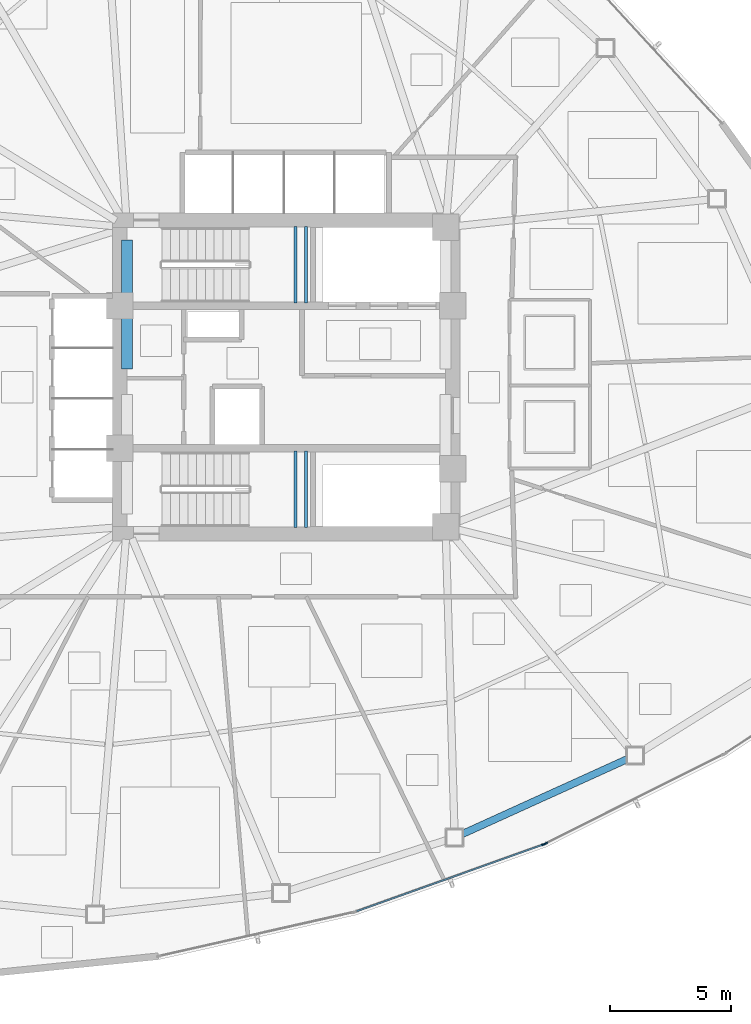
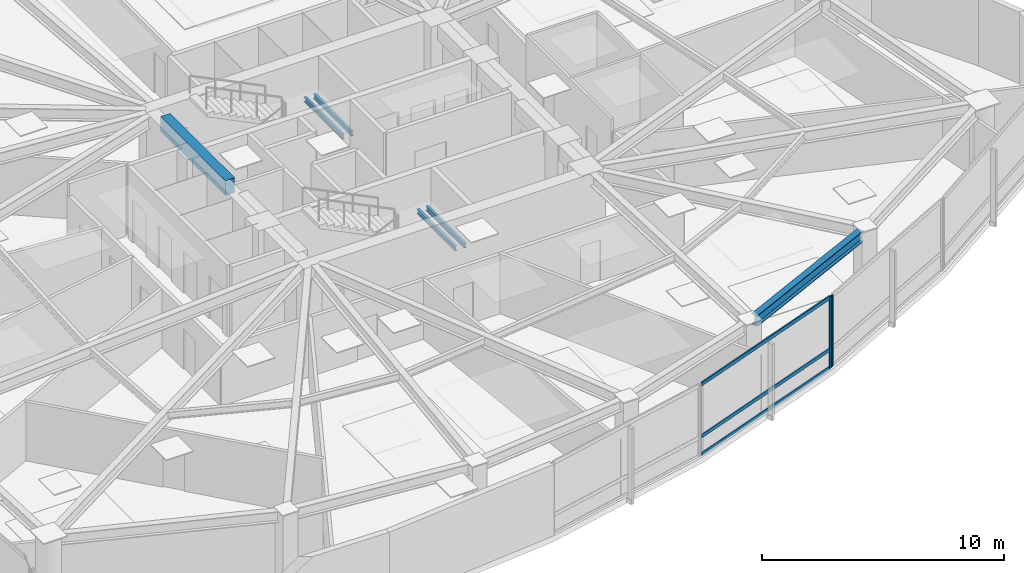
# One storey, part 5 of 17: 6 beams, 5 members, 2 elements without a shape of their own.
"""IFC4 building model written with IfcOpenShell, lengths in metres."""

from ifc_helpers import new_model, si_unit, direction, frame, origin, origin_2d, place, context, subcontext, project, spatial, rectangle, hollow_rectangle, i_section, extrude, source, transform, mapped, material, layer, layer_set, material_profile, profile_set, type_object, type_shapes, element, aggregate, save


model = new_model("IFC4")

# Units and contexts
model_context = context("Model", 3, precision=1e-05, world=origin(), true_north=direction((0.0, 1.0)))
body_context = subcontext(model_context, "Body", "Model", "MODEL_VIEW")
ifc_project = project(units=[si_unit("LENGTHUNIT", "METRE"), si_unit("AREAUNIT", "SQUARE_METRE"), si_unit("VOLUMEUNIT", "CUBIC_METRE"), si_unit("PLANEANGLEUNIT", "RADIAN"), si_unit("MASSUNIT", "GRAM", prefix="KILO")], contexts=[model_context])

# Site, building, storey
site_placement = place(None, origin())
site = spatial("IfcSite", under=ifc_project, at=site_placement, CompositionType="ELEMENT")
building_placement = place(site_placement, origin())
building = spatial("IfcBuilding", under=site, at=building_placement, Name="Tavelor Broadcast Tower", CompositionType="ELEMENT")
storey_placement = place(building_placement, frame((0.0, 0.0, 93.89990234375)))
storey = spatial("IfcBuildingStorey", under=building, at=storey_placement, Name="L22", CompositionType="ELEMENT", Elevation=93.89990234375)

# Beams
ifc_material_1 = material(Name="Concrete C40/50", Category="concrete")
ifc_material_profile_1 = material_profile(ifc_material_1, rectangle(XDim=0.449951171875, YDim=0.75, at=origin_2d()), Name="RC 450x750")
ifc_profile_set_1 = profile_set([ifc_material_profile_1], Name="Concrete C40/50")
beam_type_1 = type_object("IfcBeamType", Name="Basement Core Trim Beam 450x750", PredefinedType="BEAM", material=ifc_profile_set_1)
beam_1_placement = place(storey_placement, frame((43.39990234375, 45.327880859375, 3.22509765625), z_axis=(0.0, 1.0, 0.0), x_axis=(-1.0, 0.0, 0.0)))
element("IfcBeam", 1, at=beam_1_placement, inside=storey, type_object=beam_type_1, Name="L22 Core West-N Tie Girder", PredefinedType="BEAM", context=body_context, shape_type="SweptSolid", body=[
    extrude(rectangle(XDim=0.449951171875, YDim=0.75, at=origin_2d()), origin(), (0.0, 0.0, 1.0), 5.34423828125),
])
ifc_material_2 = material(Name="Steel S355", Category="steel")
ifc_material_profile_2 = material_profile(ifc_material_2, i_section(OverallWidth=0.300048828125, OverallDepth=0.550048828125, WebThickness=0.014892578125, FlangeThickness=0.029052734375, at=origin_2d()), Name="HEB 550")
ifc_profile_set_2 = profile_set([ifc_material_profile_2], Name="Steel S355")
beam_type_2 = type_object("IfcBeamType", Name="Perimeter Spandrel Beam T2 HEB 550", PredefinedType="SPANDREL", material=ifc_profile_set_2)
beam_2_placement = place(storey_placement, frame((57.28125, 26.060546875, 3.3251953125), z_axis=(0.910420869291, 0.413683261395, 0.0), x_axis=(-0.413683261395, 0.910420869291, 0.0)))
element("IfcBeam", 2, at=beam_2_placement, inside=storey, type_object=beam_type_2, Name="L22 Framed-Tube Ring Spandrel 11", PredefinedType="SPANDREL", context=body_context, shape_type="SweptSolid", body=[
    extrude(i_section(OverallWidth=0.300048828125, OverallDepth=0.550048828125, WebThickness=0.014892578125, FlangeThickness=0.029052734375, at=origin_2d()), origin(), (0.0, 0.0, 1.0), 7.531005859375),
])
ifc_material_profile_3 = material_profile(ifc_material_2, i_section(OverallWidth=0.1201171875, OverallDepth=0.239990234375, WebThickness=0.006103515625, FlangeThickness=0.009765625, at=origin_2d()), Name="IPE 240")
ifc_profile_set_3 = profile_set([ifc_material_profile_3], Name="Steel S355")
beam_type_3 = type_object("IfcBeamType", Name="Stairwell Landing Support Trimmer Beam IPE240", PredefinedType="BEAM", material=ifc_profile_set_3)
for number, where, z_axis, x_axis, name in (
    (3, (50.385009765625, 48.06005859375, 1.635009765625), (0.0, 1.0, 0.0), (-1.0, 0.0, 0.0), "L22 Stair Landing Support Beam 69"),
    (4, (50.824951171875, 48.06005859375, 1.635009765625), (0.0, 1.0, 0.0), (-1.0, 0.0, 0.0), "L22 Stair Landing Support Beam 70"),
    (5, (50.385009765625, 38.760009765625, 1.635009765625), (0.0, 1.0, 0.0), (-1.0, 0.0, 0.0), "L22 Stair Landing Support Beam 283"),
    (6, (50.824951171875, 38.760009765625, 1.635009765625), (0.0, 1.0, 0.0), (-1.0, 0.0, 0.0), "L22 Stair Landing Support Beam 284"),
):
    element("IfcBeam", number, at=place(storey_placement, frame(where, z_axis=z_axis, x_axis=x_axis)), inside=storey, type_object=beam_type_3, Name=name, PredefinedType="BEAM", context=body_context, shape_type="SweptSolid", body=[
        extrude(i_section(OverallWidth=0.1201171875, OverallDepth=0.239990234375, WebThickness=0.006103515625, FlangeThickness=0.009765625, at=origin_2d()), origin(), (0.0, 0.0, 1.0), 3.179931640625),
    ])

# Curtain wall, member
ifc_material_3 = material(Name="Architectural Anodized Aluminium", Category="aluminium")
ifc_layer = layer(ifc_material_3, 0.179931640625)
ifc_layer_set = layer_set([ifc_layer], Name="Architectural Anodized Aluminium")
curtain_wall_type = type_object("IfcCurtainWallType", Name="Tower Low-Zone Unitised Curtain Wall CW02", PredefinedType="NOTDEFINED", material=ifc_layer_set)
curtain_wall_1_placement = place(storey_placement, origin())
curtain_wall_1 = element("IfcCurtainWall", 7, at=curtain_wall_1_placement, inside=storey, type_object=curtain_wall_type, Name="L22 Curtain Wall CW02 Run 222", PredefinedType="NOTDEFINED")
ifc_material_profile_4 = material_profile(ifc_material_3, hollow_rectangle(XDim=0.06494140625, YDim=0.179931640625, WallThickness=0.02197265625, at=origin_2d()), Name="RHS 65x180x22")
ifc_profile_set_4 = profile_set([ifc_material_profile_4], Name="Architectural Anodized Aluminium")
member_type_1 = type_object("IfcMemberType", Name="CW02 Extruded Aluminium Mullion 65x180", PredefinedType="MULLION", material=ifc_profile_set_4)
shared_shape_1 = source(origin(), body_context, "Body", "SweptSolid", [
    extrude(hollow_rectangle(XDim=0.06494140625, YDim=0.179931640625, WallThickness=0.02197265625, at=origin_2d()), origin(), (0.0, 0.0, 1.0), 3.60009765625),
])
type_shapes(member_type_1, [shared_shape_1])
member_1_placement = place(storey_placement, frame((60.6533203125, 25.633056640625, 0.0), z_axis=(0.0, 0.0, 1.0), x_axis=(-0.336695882508, 0.941613446539, 0.0)))
member_1 = element("IfcMember", 8, at=member_1_placement, type_object=member_type_1, Name="CW02 mullion 2", PredefinedType="MULLION", context=body_context, shape_type="MappedRepresentation", body=[
    mapped(shared_shape_1, transform((0.0, 0.0, 0.0), scale=1.0)),
])

curtain_wall_2_placement = place(storey_placement, origin())
curtain_wall_2 = element("IfcCurtainWall", 9, at=curtain_wall_2_placement, inside=storey, type_object=curtain_wall_type, Name="L22 Curtain Wall CW02 Run 223", PredefinedType="NOTDEFINED")
member_2_placement = place(storey_placement, frame((60.740478515625, 25.67041015625, 0.0), z_axis=(0.0, 0.0, 1.0), x_axis=(-0.448160815201, 0.893952953862, 0.0)))
member_2 = element("IfcMember", 10, at=member_2_placement, type_object=member_type_1, Name="CW02 mullion 1", PredefinedType="MULLION", context=body_context, shape_type="MappedRepresentation", body=[
    mapped(shared_shape_1, transform((0.0, 0.0, 0.0), scale=1.0)),
])
aggregate(curtain_wall_2, [member_2])

# Member
ifc_material_profile_5 = material_profile(ifc_material_3, hollow_rectangle(XDim=0.06494140625, YDim=0.179931640625, WallThickness=0.02197265625, at=origin_2d()), Name="RHS 65x180x22")
ifc_profile_set_5 = profile_set([ifc_material_profile_5], Name="Architectural Anodized Aluminium")
member_type_2 = type_object("IfcMemberType", Name="CW02 Extruded Aluminium Transom 65x180", PredefinedType="USERDEFINED", material=ifc_profile_set_5)
shared_shape_2 = source(origin(), body_context, "Body", "SweptSolid", [
    extrude(hollow_rectangle(XDim=0.06494140625, YDim=0.179931640625, WallThickness=0.02197265625, at=origin_2d()), origin(), (0.0, 0.0, 1.0), 8.18701171875),
])
type_shapes(member_type_2, [shared_shape_2])
member_3_placement = place(storey_placement, frame((52.913818359375, 22.86572265625, 0.03271484375), z_axis=(0.941610954089, 0.336702852883, 0.0), x_axis=(-0.336702852883, 0.941610954089, 0.0)))
member_3 = element("IfcMember", 11, at=member_3_placement, type_object=member_type_2, Name="CW02 transom 1.1", ObjectType="TRANSOM", PredefinedType="USERDEFINED", context=body_context, shape_type="MappedRepresentation", body=[
    mapped(shared_shape_2, transform((0.0, 0.0, 0.0), scale=1.0)),
])

member_4_placement = place(storey_placement, frame((52.913818359375, 22.86572265625, 0.9501953125), z_axis=(0.941610954089, 0.336702852883, 0.0), x_axis=(-0.336702852883, 0.941610954089, 0.0)))
member_4 = element("IfcMember", 12, at=member_4_placement, type_object=member_type_2, Name="CW02 transom 1.2", ObjectType="TRANSOM", PredefinedType="USERDEFINED", context=body_context, shape_type="MappedRepresentation", body=[
    mapped(shared_shape_2, transform((0.0, 0.0, 0.0), scale=1.0)),
])

member_5_placement = place(storey_placement, frame((52.913818359375, 22.86572265625, 3.567626953125), z_axis=(0.941610954089, 0.336702852883, 0.0), x_axis=(-0.336702852883, 0.941610954089, 0.0)))
member_5 = element("IfcMember", 13, at=member_5_placement, type_object=member_type_2, Name="CW02 transom 1.3", ObjectType="TRANSOM", PredefinedType="USERDEFINED", context=body_context, shape_type="MappedRepresentation", body=[
    mapped(shared_shape_2, transform((0.0, 0.0, 0.0), scale=1.0)),
])

aggregate(curtain_wall_1, [member_1, member_3, member_4, member_5])

save(model, "model.ifc")
